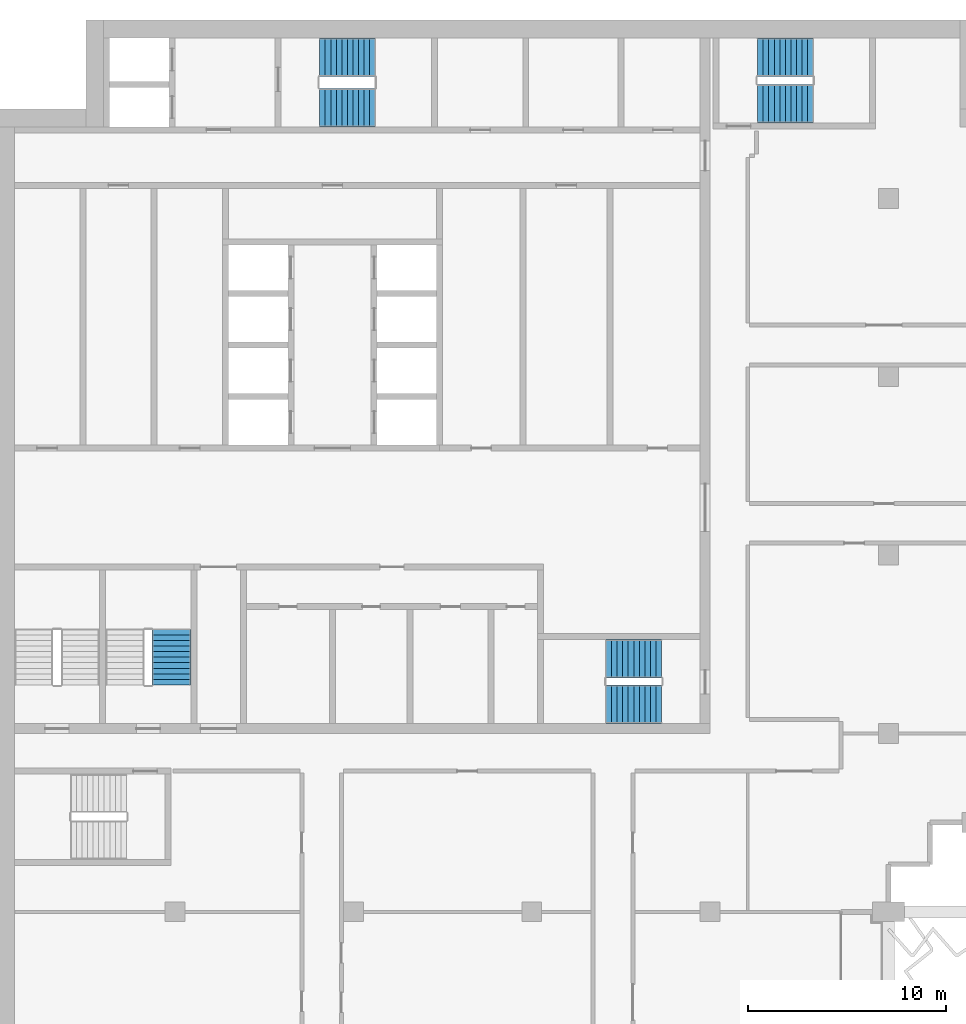
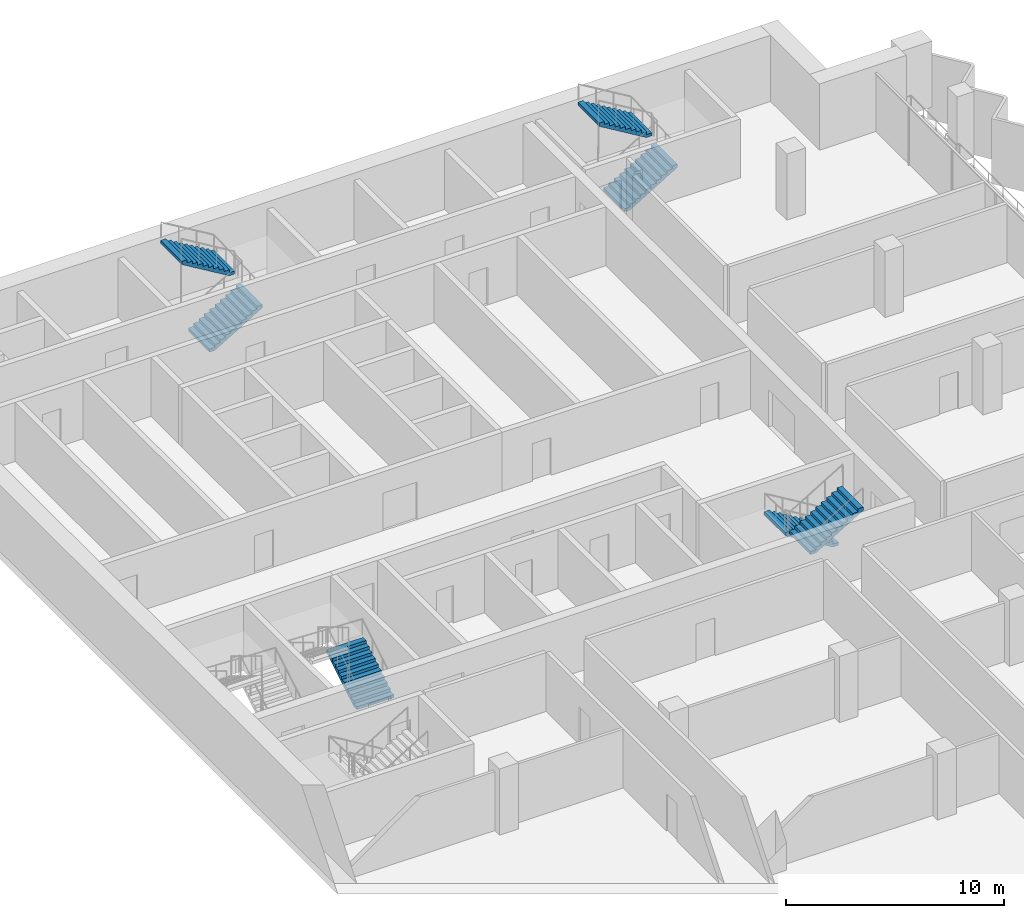
# One storey, part 12 of 16: 7 stair flights, 4 elements without a shape of their own.
"""IFC4 building model written with IfcOpenShell, lengths in metres."""

from ifc_helpers import new_model, si_unit, direction, frame, origin, place, context, subcontext, project, spatial, polyline, outline, extrude, material, type_object, element, aggregate, save


model = new_model("IFC4")

# Units and contexts
model_context = context("Model", 3, precision=1e-05, world=origin(), true_north=direction((0.0, 1.0)))
body_context = subcontext(model_context, "Body", "Model", "MODEL_VIEW")
ifc_project = project(units=[si_unit("LENGTHUNIT", "METRE"), si_unit("AREAUNIT", "SQUARE_METRE"), si_unit("VOLUMEUNIT", "CUBIC_METRE"), si_unit("PLANEANGLEUNIT", "RADIAN"), si_unit("MASSUNIT", "GRAM", prefix="KILO")], contexts=[model_context])

# Site, building, storey
site_placement = place(None, origin())
site = spatial("IfcSite", under=ifc_project, at=site_placement, CompositionType="ELEMENT")
building_placement = place(site_placement, origin())
building = spatial("IfcBuilding", under=site, at=building_placement, Name="Hunhe Ridgeline Campus", CompositionType="ELEMENT")
storey_placement = place(building_placement, frame((0.0, 0.0, 246.60009765625)))
storey = spatial("IfcBuildingStorey", under=building, at=storey_placement, Name="L63", CompositionType="ELEMENT", Elevation=246.60009765625)

# Stair, stair flights
ifc_material = material(Name="Concrete C40", Category="concrete")
stair_type = type_object("IfcStairType", Name="Reinforced concrete dog-leg stair 1950 Concrete C40", PredefinedType="HALF_TURN_STAIR", material=ifc_material)
stair_1_placement = place(storey_placement, origin())
stair_1 = element("IfcStair", 1, at=stair_1_placement, inside=storey, type_object=stair_type, Name="L63 S1", PredefinedType="HALF_TURN_STAIR")
stair_flight_type = type_object("IfcStairFlightType", Name="Reinforced concrete stair flight 1950 Concrete C40", PredefinedType="STRAIGHT", material=ifc_material)
stair_flight_1_placement = place(storey_placement, frame((16.300048828125, 94.574951171875, 0.0), z_axis=(0.0, 0.0, 1.0), x_axis=(1.0, 0.0, 0.0)))
stair_flight_1 = element("IfcStairFlight", 2, at=stair_flight_1_placement, type_object=stair_flight_type, Name="ST1 flight 1", NumberOfRisers=11, NumberOfTreads=10, PredefinedType="STRAIGHT", RiserHeight=0.168181818, TreadLength=0.28, context=body_context, shape_type="SweptSolid", body=[
    extrude(outline(polyline([(0.0, 0.0), (0.0, 0.168212890625), (0.280029296875, 0.168212890625), (0.280029296875, 0.33642578125), (0.56005859375, 0.33642578125), (0.56005859375, 0.504638671875), (0.840087890625, 0.504638671875), (0.840087890625, 0.672607421875), (1.1201171875, 0.672607421875), (1.1201171875, 0.8408203125), (1.39990234375, 0.8408203125), (1.39990234375, 1.009033203125), (1.679931640625, 1.009033203125), (1.679931640625, 1.17724609375), (1.9599609375, 1.17724609375), (1.9599609375, 1.345458984375), (2.239990234375, 1.345458984375), (2.239990234375, 1.513671875), (2.52001953125, 1.513671875), (2.52001953125, 1.681884765625), (2.800048828125, 1.681884765625), (2.800048828125, 1.85009765625), (2.800048828125, 1.5068359375), (0.291015625, 0.0), (0.0, 0.0)])), frame((0.0, 0.97509765625, 0.0), z_axis=(0.0, -1.0, 0.0), x_axis=(1.0, 0.0, 0.0)), (0.0, 0.0, 1.0), 1.949951171875),
    extrude(outline(polyline([(0.030029296875, 0.030029296875), (0.030029296875, 0.13818359375), (0.31005859375, 0.13818359375), (0.31005859375, 0.306396484375), (0.590087890625, 0.306396484375), (0.590087890625, 0.474609375), (0.8701171875, 0.474609375), (0.8701171875, 0.642578125), (1.14990234375, 0.642578125), (1.14990234375, 0.810791015625), (1.429931640625, 0.810791015625), (1.429931640625, 0.97900390625), (1.7099609375, 0.97900390625), (1.7099609375, 1.147216796875), (1.989990234375, 1.147216796875), (1.989990234375, 1.3154296875), (2.27001953125, 1.3154296875), (2.27001953125, 1.483642578125), (2.550048828125, 1.483642578125), (2.550048828125, 1.65185546875), (2.77001953125, 1.65185546875), (2.77001953125, 1.52392578125), (0.28271484375, 0.030029296875), (0.030029296875, 0.030029296875)])), frame((0.0, -0.070068359375, 0.0), z_axis=(0.0, -1.0, 0.0), x_axis=(1.0, 0.0, 0.0)), (0.0, 0.0, 1.0), 0.019775390625),
    extrude(outline(polyline([(0.030029296875, 0.030029296875), (0.030029296875, 0.13818359375), (0.31005859375, 0.13818359375), (0.31005859375, 0.306396484375), (0.590087890625, 0.306396484375), (0.590087890625, 0.474609375), (0.8701171875, 0.474609375), (0.8701171875, 0.642578125), (1.14990234375, 0.642578125), (1.14990234375, 0.810791015625), (1.429931640625, 0.810791015625), (1.429931640625, 0.97900390625), (1.7099609375, 0.97900390625), (1.7099609375, 1.147216796875), (1.989990234375, 1.147216796875), (1.989990234375, 1.3154296875), (2.27001953125, 1.3154296875), (2.27001953125, 1.483642578125), (2.550048828125, 1.483642578125), (2.550048828125, 1.65185546875), (2.77001953125, 1.65185546875), (2.77001953125, 1.52392578125), (0.28271484375, 0.030029296875), (0.030029296875, 0.030029296875)])), frame((0.0, 0.010009765625, 0.0), z_axis=(0.0, -1.0, 0.0), x_axis=(1.0, 0.0, 0.0)), (0.0, 0.0, 1.0), 0.019775390625),
    extrude(outline(polyline([(0.030029296875, 0.030029296875), (0.030029296875, 0.13818359375), (0.31005859375, 0.13818359375), (0.31005859375, 0.306396484375), (0.590087890625, 0.306396484375), (0.590087890625, 0.474609375), (0.8701171875, 0.474609375), (0.8701171875, 0.642578125), (1.14990234375, 0.642578125), (1.14990234375, 0.810791015625), (1.429931640625, 0.810791015625), (1.429931640625, 0.97900390625), (1.7099609375, 0.97900390625), (1.7099609375, 1.147216796875), (1.989990234375, 1.147216796875), (1.989990234375, 1.3154296875), (2.27001953125, 1.3154296875), (2.27001953125, 1.483642578125), (2.550048828125, 1.483642578125), (2.550048828125, 1.65185546875), (2.77001953125, 1.65185546875), (2.77001953125, 1.52392578125), (0.28271484375, 0.030029296875), (0.030029296875, 0.030029296875)])), frame((0.0, 0.090087890625, 0.0), z_axis=(0.0, -1.0, 0.0), x_axis=(1.0, 0.0, 0.0)), (0.0, 0.0, 1.0), 0.019775390625),
])
stair_flight_2_placement = place(storey_placement, frame((19.10009765625, 97.125, 1.849853515625), z_axis=(0.0, 0.0, 1.0), x_axis=(-1.0, 0.0, 0.0)))
stair_flight_2 = element("IfcStairFlight", 3, at=stair_flight_2_placement, type_object=stair_flight_type, Name="ST1 flight 2", NumberOfRisers=11, NumberOfTreads=10, PredefinedType="STRAIGHT", RiserHeight=0.168181818, TreadLength=0.28, context=body_context, shape_type="SweptSolid", body=[
    extrude(outline(polyline([(0.0, 0.0), (0.0, 0.168212890625), (0.280029296875, 0.168212890625), (0.280029296875, 0.33642578125), (0.56005859375, 0.33642578125), (0.56005859375, 0.504638671875), (0.840087890625, 0.504638671875), (0.840087890625, 0.672607421875), (1.1201171875, 0.672607421875), (1.1201171875, 0.8408203125), (1.39990234375, 0.8408203125), (1.39990234375, 1.009033203125), (1.679931640625, 1.009033203125), (1.679931640625, 1.17724609375), (1.9599609375, 1.17724609375), (1.9599609375, 1.345458984375), (2.239990234375, 1.345458984375), (2.239990234375, 1.513671875), (2.52001953125, 1.513671875), (2.52001953125, 1.681884765625), (2.800048828125, 1.681884765625), (2.800048828125, 1.85009765625), (2.800048828125, 1.5068359375), (0.291015625, 0.0), (0.0, 0.0)])), frame((0.0, 0.97509765625, 0.0), z_axis=(0.0, -1.0, 0.0), x_axis=(1.0, 0.0, 0.0)), (0.0, 0.0, 1.0), 1.949951171875),
    extrude(outline(polyline([(0.030029296875, 0.030029296875), (0.030029296875, 0.13818359375), (0.31005859375, 0.13818359375), (0.31005859375, 0.306396484375), (0.590087890625, 0.306396484375), (0.590087890625, 0.474609375), (0.8701171875, 0.474609375), (0.8701171875, 0.642578125), (1.14990234375, 0.642578125), (1.14990234375, 0.810791015625), (1.429931640625, 0.810791015625), (1.429931640625, 0.97900390625), (1.7099609375, 0.97900390625), (1.7099609375, 1.147216796875), (1.989990234375, 1.147216796875), (1.989990234375, 1.3154296875), (2.27001953125, 1.3154296875), (2.27001953125, 1.483642578125), (2.550048828125, 1.483642578125), (2.550048828125, 1.65185546875), (2.77001953125, 1.65185546875), (2.77001953125, 1.52392578125), (0.28271484375, 0.030029296875), (0.030029296875, 0.030029296875)])), frame((0.0, -0.070068359375, 0.0), z_axis=(0.0, -1.0, 0.0), x_axis=(1.0, 0.0, 0.0)), (0.0, 0.0, 1.0), 0.019775390625),
    extrude(outline(polyline([(0.030029296875, 0.030029296875), (0.030029296875, 0.13818359375), (0.31005859375, 0.13818359375), (0.31005859375, 0.306396484375), (0.590087890625, 0.306396484375), (0.590087890625, 0.474609375), (0.8701171875, 0.474609375), (0.8701171875, 0.642578125), (1.14990234375, 0.642578125), (1.14990234375, 0.810791015625), (1.429931640625, 0.810791015625), (1.429931640625, 0.97900390625), (1.7099609375, 0.97900390625), (1.7099609375, 1.147216796875), (1.989990234375, 1.147216796875), (1.989990234375, 1.3154296875), (2.27001953125, 1.3154296875), (2.27001953125, 1.483642578125), (2.550048828125, 1.483642578125), (2.550048828125, 1.65185546875), (2.77001953125, 1.65185546875), (2.77001953125, 1.52392578125), (0.28271484375, 0.030029296875), (0.030029296875, 0.030029296875)])), frame((0.0, 0.010009765625, 0.0), z_axis=(0.0, -1.0, 0.0), x_axis=(1.0, 0.0, 0.0)), (0.0, 0.0, 1.0), 0.019775390625),
    extrude(outline(polyline([(0.030029296875, 0.030029296875), (0.030029296875, 0.13818359375), (0.31005859375, 0.13818359375), (0.31005859375, 0.306396484375), (0.590087890625, 0.306396484375), (0.590087890625, 0.474609375), (0.8701171875, 0.474609375), (0.8701171875, 0.642578125), (1.14990234375, 0.642578125), (1.14990234375, 0.810791015625), (1.429931640625, 0.810791015625), (1.429931640625, 0.97900390625), (1.7099609375, 0.97900390625), (1.7099609375, 1.147216796875), (1.989990234375, 1.147216796875), (1.989990234375, 1.3154296875), (2.27001953125, 1.3154296875), (2.27001953125, 1.483642578125), (2.550048828125, 1.483642578125), (2.550048828125, 1.65185546875), (2.77001953125, 1.65185546875), (2.77001953125, 1.52392578125), (0.28271484375, 0.030029296875), (0.030029296875, 0.030029296875)])), frame((0.0, 0.090087890625, 0.0), z_axis=(0.0, -1.0, 0.0), x_axis=(1.0, 0.0, 0.0)), (0.0, 0.0, 1.0), 0.019775390625),
])
aggregate(stair_1, [stair_flight_1, stair_flight_2])

stair_2_placement = place(storey_placement, origin())
stair_2 = element("IfcStair", 4, at=stair_2_placement, inside=storey, type_object=stair_type, Name="L63 S2", PredefinedType="HALF_TURN_STAIR")
stair_flight_3_placement = place(storey_placement, frame((33.550048828125, 66.77490234375, 0.0), z_axis=(0.0, 0.0, 1.0), x_axis=(-1.0, 0.0, 0.0)))
stair_flight_3 = element("IfcStairFlight", 5, at=stair_flight_3_placement, type_object=stair_flight_type, Name="ST2 flight 1", NumberOfRisers=11, NumberOfTreads=10, PredefinedType="STRAIGHT", RiserHeight=0.168181818, TreadLength=0.28, context=body_context, shape_type="SweptSolid", body=[
    extrude(outline(polyline([(0.0, 0.0), (0.0, 0.168212890625), (0.280029296875, 0.168212890625), (0.280029296875, 0.33642578125), (0.56005859375, 0.33642578125), (0.56005859375, 0.504638671875), (0.840087890625, 0.504638671875), (0.840087890625, 0.672607421875), (1.1201171875, 0.672607421875), (1.1201171875, 0.8408203125), (1.39990234375, 0.8408203125), (1.39990234375, 1.009033203125), (1.679931640625, 1.009033203125), (1.679931640625, 1.17724609375), (1.9599609375, 1.17724609375), (1.9599609375, 1.345458984375), (2.239990234375, 1.345458984375), (2.239990234375, 1.513671875), (2.52001953125, 1.513671875), (2.52001953125, 1.681884765625), (2.800048828125, 1.681884765625), (2.800048828125, 1.85009765625), (2.800048828125, 1.5068359375), (0.291015625, 0.0), (0.0, 0.0)])), frame((0.0, 0.97509765625, 0.0), z_axis=(0.0, -1.0, 0.0), x_axis=(1.0, 0.0, 0.0)), (0.0, 0.0, 1.0), 1.949951171875),
    extrude(outline(polyline([(0.030029296875, 0.030029296875), (0.030029296875, 0.13818359375), (0.31005859375, 0.13818359375), (0.31005859375, 0.306396484375), (0.590087890625, 0.306396484375), (0.590087890625, 0.474609375), (0.8701171875, 0.474609375), (0.8701171875, 0.642578125), (1.14990234375, 0.642578125), (1.14990234375, 0.810791015625), (1.429931640625, 0.810791015625), (1.429931640625, 0.97900390625), (1.7099609375, 0.97900390625), (1.7099609375, 1.147216796875), (1.989990234375, 1.147216796875), (1.989990234375, 1.3154296875), (2.27001953125, 1.3154296875), (2.27001953125, 1.483642578125), (2.550048828125, 1.483642578125), (2.550048828125, 1.65185546875), (2.77001953125, 1.65185546875), (2.77001953125, 1.52392578125), (0.28271484375, 0.030029296875), (0.030029296875, 0.030029296875)])), frame((0.0, -0.070068359375, 0.0), z_axis=(0.0, -1.0, 0.0), x_axis=(1.0, 0.0, 0.0)), (0.0, 0.0, 1.0), 0.019775390625),
    extrude(outline(polyline([(0.030029296875, 0.030029296875), (0.030029296875, 0.13818359375), (0.31005859375, 0.13818359375), (0.31005859375, 0.306396484375), (0.590087890625, 0.306396484375), (0.590087890625, 0.474609375), (0.8701171875, 0.474609375), (0.8701171875, 0.642578125), (1.14990234375, 0.642578125), (1.14990234375, 0.810791015625), (1.429931640625, 0.810791015625), (1.429931640625, 0.97900390625), (1.7099609375, 0.97900390625), (1.7099609375, 1.147216796875), (1.989990234375, 1.147216796875), (1.989990234375, 1.3154296875), (2.27001953125, 1.3154296875), (2.27001953125, 1.483642578125), (2.550048828125, 1.483642578125), (2.550048828125, 1.65185546875), (2.77001953125, 1.65185546875), (2.77001953125, 1.52392578125), (0.28271484375, 0.030029296875), (0.030029296875, 0.030029296875)])), frame((0.0, 0.010009765625, 0.0), z_axis=(0.0, -1.0, 0.0), x_axis=(1.0, 0.0, 0.0)), (0.0, 0.0, 1.0), 0.019775390625),
    extrude(outline(polyline([(0.030029296875, 0.030029296875), (0.030029296875, 0.13818359375), (0.31005859375, 0.13818359375), (0.31005859375, 0.306396484375), (0.590087890625, 0.306396484375), (0.590087890625, 0.474609375), (0.8701171875, 0.474609375), (0.8701171875, 0.642578125), (1.14990234375, 0.642578125), (1.14990234375, 0.810791015625), (1.429931640625, 0.810791015625), (1.429931640625, 0.97900390625), (1.7099609375, 0.97900390625), (1.7099609375, 1.147216796875), (1.989990234375, 1.147216796875), (1.989990234375, 1.3154296875), (2.27001953125, 1.3154296875), (2.27001953125, 1.483642578125), (2.550048828125, 1.483642578125), (2.550048828125, 1.65185546875), (2.77001953125, 1.65185546875), (2.77001953125, 1.52392578125), (0.28271484375, 0.030029296875), (0.030029296875, 0.030029296875)])), frame((0.0, 0.090087890625, 0.0), z_axis=(0.0, -1.0, 0.0), x_axis=(1.0, 0.0, 0.0)), (0.0, 0.0, 1.0), 0.019775390625),
])
stair_flight_4_placement = place(storey_placement, frame((30.75, 64.47509765625, 1.849853515625), z_axis=(0.0, 0.0, 1.0), x_axis=(1.0, 0.0, 0.0)))
stair_flight_4 = element("IfcStairFlight", 6, at=stair_flight_4_placement, type_object=stair_flight_type, Name="ST2 flight 2", NumberOfRisers=11, NumberOfTreads=10, PredefinedType="STRAIGHT", RiserHeight=0.168181818, TreadLength=0.28, context=body_context, shape_type="SweptSolid", body=[
    extrude(outline(polyline([(0.0, 0.0), (0.0, 0.168212890625), (0.280029296875, 0.168212890625), (0.280029296875, 0.33642578125), (0.56005859375, 0.33642578125), (0.56005859375, 0.504638671875), (0.840087890625, 0.504638671875), (0.840087890625, 0.672607421875), (1.1201171875, 0.672607421875), (1.1201171875, 0.8408203125), (1.39990234375, 0.8408203125), (1.39990234375, 1.009033203125), (1.679931640625, 1.009033203125), (1.679931640625, 1.17724609375), (1.9599609375, 1.17724609375), (1.9599609375, 1.345458984375), (2.239990234375, 1.345458984375), (2.239990234375, 1.513671875), (2.52001953125, 1.513671875), (2.52001953125, 1.681884765625), (2.800048828125, 1.681884765625), (2.800048828125, 1.85009765625), (2.800048828125, 1.5068359375), (0.291015625, 0.0), (0.0, 0.0)])), frame((0.0, 0.97509765625, 0.0), z_axis=(0.0, -1.0, 0.0), x_axis=(1.0, 0.0, 0.0)), (0.0, 0.0, 1.0), 1.949951171875),
    extrude(outline(polyline([(0.030029296875, 0.030029296875), (0.030029296875, 0.13818359375), (0.31005859375, 0.13818359375), (0.31005859375, 0.306396484375), (0.590087890625, 0.306396484375), (0.590087890625, 0.474609375), (0.8701171875, 0.474609375), (0.8701171875, 0.642578125), (1.14990234375, 0.642578125), (1.14990234375, 0.810791015625), (1.429931640625, 0.810791015625), (1.429931640625, 0.97900390625), (1.7099609375, 0.97900390625), (1.7099609375, 1.147216796875), (1.989990234375, 1.147216796875), (1.989990234375, 1.3154296875), (2.27001953125, 1.3154296875), (2.27001953125, 1.483642578125), (2.550048828125, 1.483642578125), (2.550048828125, 1.65185546875), (2.77001953125, 1.65185546875), (2.77001953125, 1.52392578125), (0.28271484375, 0.030029296875), (0.030029296875, 0.030029296875)])), frame((0.0, -0.070068359375, 0.0), z_axis=(0.0, -1.0, 0.0), x_axis=(1.0, 0.0, 0.0)), (0.0, 0.0, 1.0), 0.019775390625),
    extrude(outline(polyline([(0.030029296875, 0.030029296875), (0.030029296875, 0.13818359375), (0.31005859375, 0.13818359375), (0.31005859375, 0.306396484375), (0.590087890625, 0.306396484375), (0.590087890625, 0.474609375), (0.8701171875, 0.474609375), (0.8701171875, 0.642578125), (1.14990234375, 0.642578125), (1.14990234375, 0.810791015625), (1.429931640625, 0.810791015625), (1.429931640625, 0.97900390625), (1.7099609375, 0.97900390625), (1.7099609375, 1.147216796875), (1.989990234375, 1.147216796875), (1.989990234375, 1.3154296875), (2.27001953125, 1.3154296875), (2.27001953125, 1.483642578125), (2.550048828125, 1.483642578125), (2.550048828125, 1.65185546875), (2.77001953125, 1.65185546875), (2.77001953125, 1.52392578125), (0.28271484375, 0.030029296875), (0.030029296875, 0.030029296875)])), frame((0.0, 0.010009765625, 0.0), z_axis=(0.0, -1.0, 0.0), x_axis=(1.0, 0.0, 0.0)), (0.0, 0.0, 1.0), 0.019775390625),
    extrude(outline(polyline([(0.030029296875, 0.030029296875), (0.030029296875, 0.13818359375), (0.31005859375, 0.13818359375), (0.31005859375, 0.306396484375), (0.590087890625, 0.306396484375), (0.590087890625, 0.474609375), (0.8701171875, 0.474609375), (0.8701171875, 0.642578125), (1.14990234375, 0.642578125), (1.14990234375, 0.810791015625), (1.429931640625, 0.810791015625), (1.429931640625, 0.97900390625), (1.7099609375, 0.97900390625), (1.7099609375, 1.147216796875), (1.989990234375, 1.147216796875), (1.989990234375, 1.3154296875), (2.27001953125, 1.3154296875), (2.27001953125, 1.483642578125), (2.550048828125, 1.483642578125), (2.550048828125, 1.65185546875), (2.77001953125, 1.65185546875), (2.77001953125, 1.52392578125), (0.28271484375, 0.030029296875), (0.030029296875, 0.030029296875)])), frame((0.0, 0.090087890625, 0.0), z_axis=(0.0, -1.0, 0.0), x_axis=(1.0, 0.0, 0.0)), (0.0, 0.0, 1.0), 0.019775390625),
])
aggregate(stair_2, [stair_flight_3, stair_flight_4])

# Stair, stair flight
stair_3_placement = place(storey_placement, origin())
stair_3 = element("IfcStair", 7, at=stair_3_placement, inside=storey, type_object=stair_type, Name="L63 S4", PredefinedType="HALF_TURN_STAIR")
stair_flight_5_placement = place(storey_placement, frame((8.824951171875, 65.449951171875, 0.0), z_axis=(0.0, 0.0, 1.0), x_axis=(0.0, 1.0, 0.0)))
stair_flight_5 = element("IfcStairFlight", 8, at=stair_flight_5_placement, type_object=stair_flight_type, Name="ST4 flight 1", NumberOfRisers=11, NumberOfTreads=10, PredefinedType="STRAIGHT", RiserHeight=0.168181818, TreadLength=0.28, context=body_context, shape_type="SweptSolid", body=[
    extrude(outline(polyline([(0.0, 0.0), (0.0, 0.168212890625), (0.280029296875, 0.168212890625), (0.280029296875, 0.33642578125), (0.56005859375, 0.33642578125), (0.56005859375, 0.504638671875), (0.840087890625, 0.504638671875), (0.840087890625, 0.672607421875), (1.1201171875, 0.672607421875), (1.1201171875, 0.8408203125), (1.39990234375, 0.8408203125), (1.39990234375, 1.009033203125), (1.679931640625, 1.009033203125), (1.679931640625, 1.17724609375), (1.9599609375, 1.17724609375), (1.9599609375, 1.345458984375), (2.239990234375, 1.345458984375), (2.239990234375, 1.513671875), (2.52001953125, 1.513671875), (2.52001953125, 1.681884765625), (2.800048828125, 1.681884765625), (2.800048828125, 1.85009765625), (2.800048828125, 1.5068359375), (0.291015625, 0.0), (0.0, 0.0)])), frame((0.0, 0.97509765625, 0.0), z_axis=(0.0, -1.0, 0.0), x_axis=(1.0, 0.0, 0.0)), (0.0, 0.0, 1.0), 1.949951171875),
    extrude(outline(polyline([(0.030029296875, 0.030029296875), (0.030029296875, 0.13818359375), (0.31005859375, 0.13818359375), (0.31005859375, 0.306396484375), (0.590087890625, 0.306396484375), (0.590087890625, 0.474609375), (0.8701171875, 0.474609375), (0.8701171875, 0.642578125), (1.14990234375, 0.642578125), (1.14990234375, 0.810791015625), (1.429931640625, 0.810791015625), (1.429931640625, 0.97900390625), (1.7099609375, 0.97900390625), (1.7099609375, 1.147216796875), (1.989990234375, 1.147216796875), (1.989990234375, 1.3154296875), (2.27001953125, 1.3154296875), (2.27001953125, 1.483642578125), (2.550048828125, 1.483642578125), (2.550048828125, 1.65185546875), (2.77001953125, 1.65185546875), (2.77001953125, 1.52392578125), (0.28271484375, 0.030029296875), (0.030029296875, 0.030029296875)])), frame((0.0, -0.070068359375, 0.0), z_axis=(0.0, -1.0, 0.0), x_axis=(1.0, 0.0, 0.0)), (0.0, 0.0, 1.0), 0.019775390625),
    extrude(outline(polyline([(0.030029296875, 0.030029296875), (0.030029296875, 0.13818359375), (0.31005859375, 0.13818359375), (0.31005859375, 0.306396484375), (0.590087890625, 0.306396484375), (0.590087890625, 0.474609375), (0.8701171875, 0.474609375), (0.8701171875, 0.642578125), (1.14990234375, 0.642578125), (1.14990234375, 0.810791015625), (1.429931640625, 0.810791015625), (1.429931640625, 0.97900390625), (1.7099609375, 0.97900390625), (1.7099609375, 1.147216796875), (1.989990234375, 1.147216796875), (1.989990234375, 1.3154296875), (2.27001953125, 1.3154296875), (2.27001953125, 1.483642578125), (2.550048828125, 1.483642578125), (2.550048828125, 1.65185546875), (2.77001953125, 1.65185546875), (2.77001953125, 1.52392578125), (0.28271484375, 0.030029296875), (0.030029296875, 0.030029296875)])), frame((0.0, 0.010009765625, 0.0), z_axis=(0.0, -1.0, 0.0), x_axis=(1.0, 0.0, 0.0)), (0.0, 0.0, 1.0), 0.019775390625),
    extrude(outline(polyline([(0.030029296875, 0.030029296875), (0.030029296875, 0.13818359375), (0.31005859375, 0.13818359375), (0.31005859375, 0.306396484375), (0.590087890625, 0.306396484375), (0.590087890625, 0.474609375), (0.8701171875, 0.474609375), (0.8701171875, 0.642578125), (1.14990234375, 0.642578125), (1.14990234375, 0.810791015625), (1.429931640625, 0.810791015625), (1.429931640625, 0.97900390625), (1.7099609375, 0.97900390625), (1.7099609375, 1.147216796875), (1.989990234375, 1.147216796875), (1.989990234375, 1.3154296875), (2.27001953125, 1.3154296875), (2.27001953125, 1.483642578125), (2.550048828125, 1.483642578125), (2.550048828125, 1.65185546875), (2.77001953125, 1.65185546875), (2.77001953125, 1.52392578125), (0.28271484375, 0.030029296875), (0.030029296875, 0.030029296875)])), frame((0.0, 0.090087890625, 0.0), z_axis=(0.0, -1.0, 0.0), x_axis=(1.0, 0.0, 0.0)), (0.0, 0.0, 1.0), 0.019775390625),
])
aggregate(stair_3, [stair_flight_5])

# Stair, stair flights
stair_4_placement = place(storey_placement, origin())
stair_4 = element("IfcStair", 9, at=stair_4_placement, inside=storey, type_object=stair_type, Name="L63 E1", PredefinedType="HALF_TURN_STAIR")
stair_flight_6_placement = place(storey_placement, frame((38.39990234375, 94.77490234375, 0.0), z_axis=(0.0, 0.0, 1.0), x_axis=(1.0, 0.0, 0.0)))
stair_flight_6 = element("IfcStairFlight", 10, at=stair_flight_6_placement, type_object=stair_flight_type, Name="ST5 flight 1", NumberOfRisers=11, NumberOfTreads=10, PredefinedType="STRAIGHT", RiserHeight=0.168181818, TreadLength=0.28, context=body_context, shape_type="SweptSolid", body=[
    extrude(outline(polyline([(0.0, 0.0), (0.0, 0.168212890625), (0.280029296875, 0.168212890625), (0.280029296875, 0.33642578125), (0.56005859375, 0.33642578125), (0.56005859375, 0.504638671875), (0.840087890625, 0.504638671875), (0.840087890625, 0.672607421875), (1.1201171875, 0.672607421875), (1.1201171875, 0.8408203125), (1.39990234375, 0.8408203125), (1.39990234375, 1.009033203125), (1.679931640625, 1.009033203125), (1.679931640625, 1.17724609375), (1.9599609375, 1.17724609375), (1.9599609375, 1.345458984375), (2.239990234375, 1.345458984375), (2.239990234375, 1.513671875), (2.52001953125, 1.513671875), (2.52001953125, 1.681884765625), (2.800048828125, 1.681884765625), (2.800048828125, 1.85009765625), (2.800048828125, 1.5068359375), (0.291015625, 0.0), (0.0, 0.0)])), frame((0.0, 0.97509765625, 0.0), z_axis=(0.0, -1.0, 0.0), x_axis=(1.0, 0.0, 0.0)), (0.0, 0.0, 1.0), 1.949951171875),
    extrude(outline(polyline([(0.030029296875, 0.030029296875), (0.030029296875, 0.13818359375), (0.31005859375, 0.13818359375), (0.31005859375, 0.306396484375), (0.590087890625, 0.306396484375), (0.590087890625, 0.474609375), (0.8701171875, 0.474609375), (0.8701171875, 0.642578125), (1.14990234375, 0.642578125), (1.14990234375, 0.810791015625), (1.429931640625, 0.810791015625), (1.429931640625, 0.97900390625), (1.7099609375, 0.97900390625), (1.7099609375, 1.147216796875), (1.989990234375, 1.147216796875), (1.989990234375, 1.3154296875), (2.27001953125, 1.3154296875), (2.27001953125, 1.483642578125), (2.550048828125, 1.483642578125), (2.550048828125, 1.65185546875), (2.77001953125, 1.65185546875), (2.77001953125, 1.52392578125), (0.28271484375, 0.030029296875), (0.030029296875, 0.030029296875)])), frame((0.0, -0.070068359375, 0.0), z_axis=(0.0, -1.0, 0.0), x_axis=(1.0, 0.0, 0.0)), (0.0, 0.0, 1.0), 0.019775390625),
    extrude(outline(polyline([(0.030029296875, 0.030029296875), (0.030029296875, 0.13818359375), (0.31005859375, 0.13818359375), (0.31005859375, 0.306396484375), (0.590087890625, 0.306396484375), (0.590087890625, 0.474609375), (0.8701171875, 0.474609375), (0.8701171875, 0.642578125), (1.14990234375, 0.642578125), (1.14990234375, 0.810791015625), (1.429931640625, 0.810791015625), (1.429931640625, 0.97900390625), (1.7099609375, 0.97900390625), (1.7099609375, 1.147216796875), (1.989990234375, 1.147216796875), (1.989990234375, 1.3154296875), (2.27001953125, 1.3154296875), (2.27001953125, 1.483642578125), (2.550048828125, 1.483642578125), (2.550048828125, 1.65185546875), (2.77001953125, 1.65185546875), (2.77001953125, 1.52392578125), (0.28271484375, 0.030029296875), (0.030029296875, 0.030029296875)])), frame((0.0, 0.010009765625, 0.0), z_axis=(0.0, -1.0, 0.0), x_axis=(1.0, 0.0, 0.0)), (0.0, 0.0, 1.0), 0.019775390625),
    extrude(outline(polyline([(0.030029296875, 0.030029296875), (0.030029296875, 0.13818359375), (0.31005859375, 0.13818359375), (0.31005859375, 0.306396484375), (0.590087890625, 0.306396484375), (0.590087890625, 0.474609375), (0.8701171875, 0.474609375), (0.8701171875, 0.642578125), (1.14990234375, 0.642578125), (1.14990234375, 0.810791015625), (1.429931640625, 0.810791015625), (1.429931640625, 0.97900390625), (1.7099609375, 0.97900390625), (1.7099609375, 1.147216796875), (1.989990234375, 1.147216796875), (1.989990234375, 1.3154296875), (2.27001953125, 1.3154296875), (2.27001953125, 1.483642578125), (2.550048828125, 1.483642578125), (2.550048828125, 1.65185546875), (2.77001953125, 1.65185546875), (2.77001953125, 1.52392578125), (0.28271484375, 0.030029296875), (0.030029296875, 0.030029296875)])), frame((0.0, 0.090087890625, 0.0), z_axis=(0.0, -1.0, 0.0), x_axis=(1.0, 0.0, 0.0)), (0.0, 0.0, 1.0), 0.019775390625),
])
stair_flight_7_placement = place(storey_placement, frame((41.199951171875, 97.125, 1.849853515625), z_axis=(0.0, 0.0, 1.0), x_axis=(-1.0, 0.0, 0.0)))
stair_flight_7 = element("IfcStairFlight", 11, at=stair_flight_7_placement, type_object=stair_flight_type, Name="ST5 flight 2", NumberOfRisers=11, NumberOfTreads=10, PredefinedType="STRAIGHT", RiserHeight=0.168181818, TreadLength=0.28, context=body_context, shape_type="SweptSolid", body=[
    extrude(outline(polyline([(0.0, 0.0), (0.0, 0.168212890625), (0.280029296875, 0.168212890625), (0.280029296875, 0.33642578125), (0.56005859375, 0.33642578125), (0.56005859375, 0.504638671875), (0.840087890625, 0.504638671875), (0.840087890625, 0.672607421875), (1.1201171875, 0.672607421875), (1.1201171875, 0.8408203125), (1.39990234375, 0.8408203125), (1.39990234375, 1.009033203125), (1.679931640625, 1.009033203125), (1.679931640625, 1.17724609375), (1.9599609375, 1.17724609375), (1.9599609375, 1.345458984375), (2.239990234375, 1.345458984375), (2.239990234375, 1.513671875), (2.52001953125, 1.513671875), (2.52001953125, 1.681884765625), (2.800048828125, 1.681884765625), (2.800048828125, 1.85009765625), (2.800048828125, 1.5068359375), (0.291015625, 0.0), (0.0, 0.0)])), frame((0.0, 0.97509765625, 0.0), z_axis=(0.0, -1.0, 0.0), x_axis=(1.0, 0.0, 0.0)), (0.0, 0.0, 1.0), 1.949951171875),
    extrude(outline(polyline([(0.030029296875, 0.030029296875), (0.030029296875, 0.13818359375), (0.31005859375, 0.13818359375), (0.31005859375, 0.306396484375), (0.590087890625, 0.306396484375), (0.590087890625, 0.474609375), (0.8701171875, 0.474609375), (0.8701171875, 0.642578125), (1.14990234375, 0.642578125), (1.14990234375, 0.810791015625), (1.429931640625, 0.810791015625), (1.429931640625, 0.97900390625), (1.7099609375, 0.97900390625), (1.7099609375, 1.147216796875), (1.989990234375, 1.147216796875), (1.989990234375, 1.3154296875), (2.27001953125, 1.3154296875), (2.27001953125, 1.483642578125), (2.550048828125, 1.483642578125), (2.550048828125, 1.65185546875), (2.77001953125, 1.65185546875), (2.77001953125, 1.52392578125), (0.28271484375, 0.030029296875), (0.030029296875, 0.030029296875)])), frame((0.0, -0.070068359375, 0.0), z_axis=(0.0, -1.0, 0.0), x_axis=(1.0, 0.0, 0.0)), (0.0, 0.0, 1.0), 0.019775390625),
    extrude(outline(polyline([(0.030029296875, 0.030029296875), (0.030029296875, 0.13818359375), (0.31005859375, 0.13818359375), (0.31005859375, 0.306396484375), (0.590087890625, 0.306396484375), (0.590087890625, 0.474609375), (0.8701171875, 0.474609375), (0.8701171875, 0.642578125), (1.14990234375, 0.642578125), (1.14990234375, 0.810791015625), (1.429931640625, 0.810791015625), (1.429931640625, 0.97900390625), (1.7099609375, 0.97900390625), (1.7099609375, 1.147216796875), (1.989990234375, 1.147216796875), (1.989990234375, 1.3154296875), (2.27001953125, 1.3154296875), (2.27001953125, 1.483642578125), (2.550048828125, 1.483642578125), (2.550048828125, 1.65185546875), (2.77001953125, 1.65185546875), (2.77001953125, 1.52392578125), (0.28271484375, 0.030029296875), (0.030029296875, 0.030029296875)])), frame((0.0, 0.010009765625, 0.0), z_axis=(0.0, -1.0, 0.0), x_axis=(1.0, 0.0, 0.0)), (0.0, 0.0, 1.0), 0.019775390625),
    extrude(outline(polyline([(0.030029296875, 0.030029296875), (0.030029296875, 0.13818359375), (0.31005859375, 0.13818359375), (0.31005859375, 0.306396484375), (0.590087890625, 0.306396484375), (0.590087890625, 0.474609375), (0.8701171875, 0.474609375), (0.8701171875, 0.642578125), (1.14990234375, 0.642578125), (1.14990234375, 0.810791015625), (1.429931640625, 0.810791015625), (1.429931640625, 0.97900390625), (1.7099609375, 0.97900390625), (1.7099609375, 1.147216796875), (1.989990234375, 1.147216796875), (1.989990234375, 1.3154296875), (2.27001953125, 1.3154296875), (2.27001953125, 1.483642578125), (2.550048828125, 1.483642578125), (2.550048828125, 1.65185546875), (2.77001953125, 1.65185546875), (2.77001953125, 1.52392578125), (0.28271484375, 0.030029296875), (0.030029296875, 0.030029296875)])), frame((0.0, 0.090087890625, 0.0), z_axis=(0.0, -1.0, 0.0), x_axis=(1.0, 0.0, 0.0)), (0.0, 0.0, 1.0), 0.019775390625),
])
aggregate(stair_4, [stair_flight_6, stair_flight_7])

save(model, "model.ifc")
